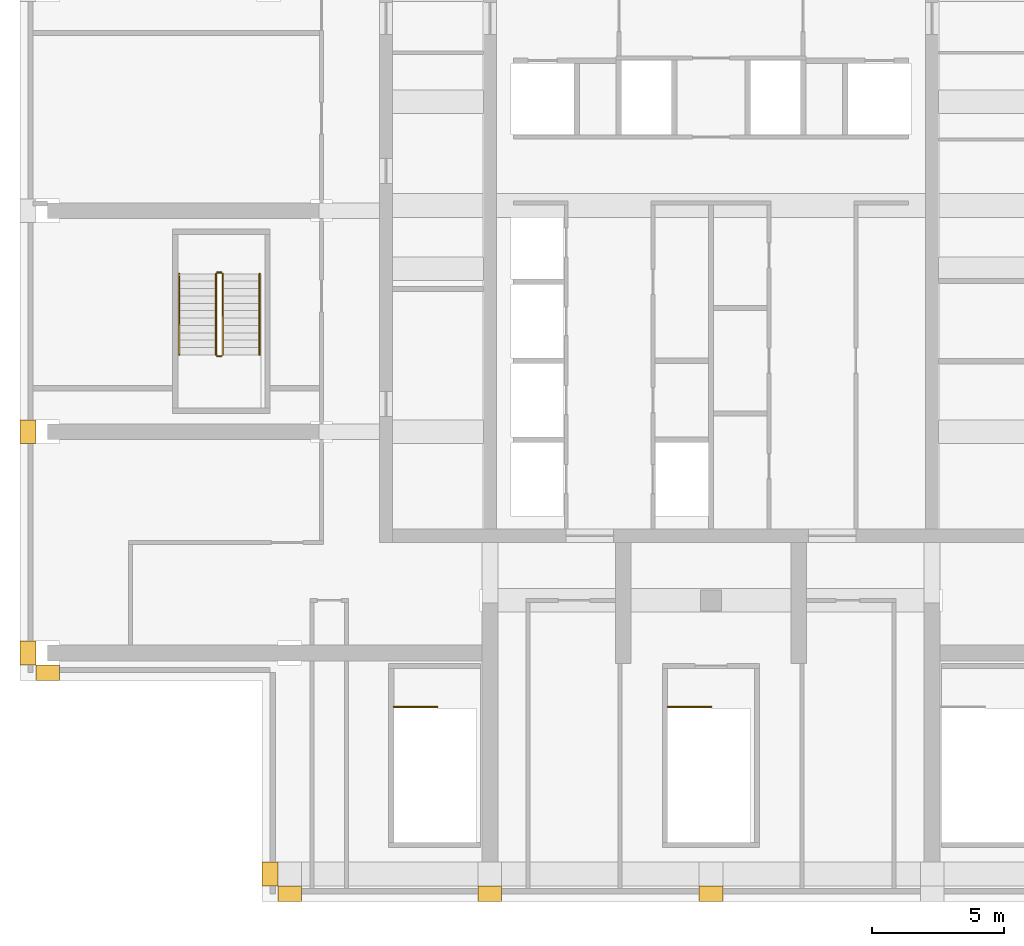
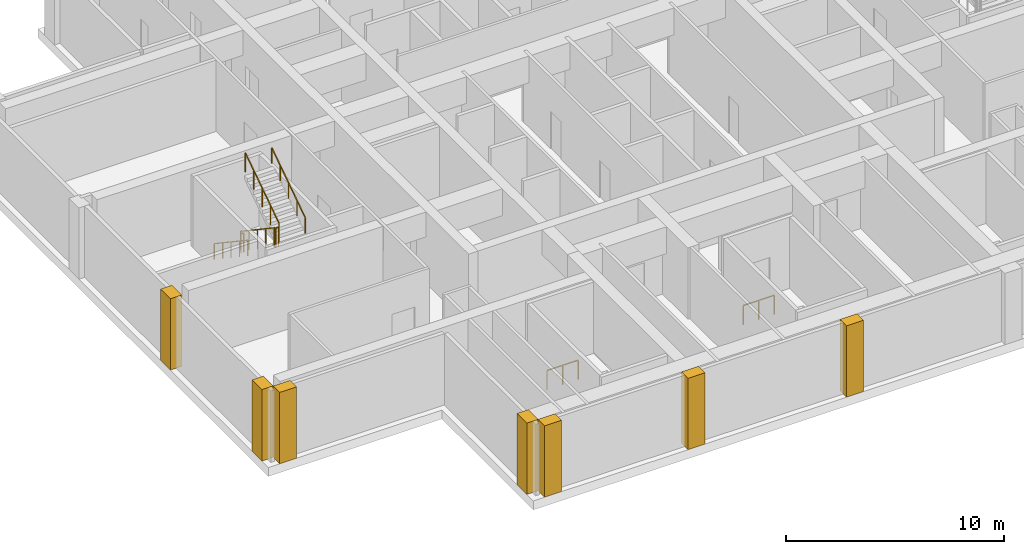
# One storey, part 7 of 11: 7 coverings, 7 railings.
"""IFC4 building model written with IfcOpenShell, lengths in metres."""

from ifc_helpers import new_model, si_unit, direction, frame, origin, origin_2d, place, context, subcontext, project, spatial, polyline, rectangle, outline, extrude, material, type_object, element, save


model = new_model("IFC4")

# Units and contexts
model_context = context("Model", 3, precision=1e-05, world=origin(), true_north=direction((0.0, 1.0)))
body_context = subcontext(model_context, "Body", "Model", "MODEL_VIEW")
ifc_project = project(units=[si_unit("LENGTHUNIT", "METRE"), si_unit("AREAUNIT", "SQUARE_METRE"), si_unit("VOLUMEUNIT", "CUBIC_METRE"), si_unit("PLANEANGLEUNIT", "RADIAN"), si_unit("MASSUNIT", "GRAM", prefix="KILO")], contexts=[model_context])

# Site, building, storey
site_placement = place(None, origin())
site = spatial("IfcSite", under=ifc_project, at=site_placement, CompositionType="ELEMENT")
building_placement = place(site_placement, origin())
building = spatial("IfcBuilding", under=site, at=building_placement, Name="Vermilion Ogive Tower", CompositionType="ELEMENT")
storey_placement = place(building_placement, frame((0.0, 0.0, 264.85009765625)))
storey = spatial("IfcBuildingStorey", under=building, at=storey_placement, Name="L70", CompositionType="ELEMENT", Elevation=264.85009765625)

# Railings
ifc_material_1 = material(Name="Steel S355 painted", Category="steel")
railing_type_1 = type_object("IfcRailingType", Name="Stair guard 1100", PredefinedType="GUARDRAIL", material=ifc_material_1)
railing_1_placement = place(storey_placement, frame((-12.050048828125, -14.64990234375, 0.0)))
element("IfcRailing", 1, at=railing_1_placement, inside=storey, type_object=railing_type_1, Name="L70 ST3 top well guard 1", PredefinedType="GUARDRAIL", context=body_context, shape_type="SweptSolid", body=[
    extrude(rectangle(XDim=0.048095703125, YDim=0.048095703125, at=origin_2d()), frame((0.0, 0.0, 1.076171875), z_axis=(1.0, 0.0, 0.0), x_axis=(0.0, 1.0, 0.0)), (0.0, 0.0, 1.0), 1.650146484375),
    extrude(rectangle(XDim=0.0419921875, YDim=0.0419921875, at=origin_2d()), origin(), (0.0, 0.0, 1.0), 1.052001953125),
    extrude(rectangle(XDim=0.0419921875, YDim=0.0419921875, at=origin_2d()), frame((0.8251953125, 0.0, 0.0)), (0.0, 0.0, 1.0), 1.052001953125),
    extrude(rectangle(XDim=0.0419921875, YDim=0.0419921875, at=origin_2d()), frame((1.650146484375, 0.0, 0.0)), (0.0, 0.0, 1.0), 1.052001953125),
])
railing_2_placement = place(storey_placement, frame((-1.64990234375, -14.64990234375, 0.0)))
element("IfcRailing", 2, at=railing_2_placement, inside=storey, type_object=railing_type_1, Name="L70 ST4 top well guard 1", PredefinedType="GUARDRAIL", context=body_context, shape_type="SweptSolid", body=[
    extrude(rectangle(XDim=0.048095703125, YDim=0.048095703125, at=origin_2d()), frame((0.0, 0.0, 1.076171875), z_axis=(1.0, 0.0, 0.0), x_axis=(0.0, 1.0, 0.0)), (0.0, 0.0, 1.0), 1.64990234375),
    extrude(rectangle(XDim=0.0419921875, YDim=0.0419921875, at=origin_2d()), origin(), (0.0, 0.0, 1.0), 1.052001953125),
    extrude(rectangle(XDim=0.0419921875, YDim=0.0419921875, at=origin_2d()), frame((0.824951171875, 0.0, 0.0)), (0.0, 0.0, 1.0), 1.052001953125),
    extrude(rectangle(XDim=0.0419921875, YDim=0.0419921875, at=origin_2d()), frame((1.64990234375, 0.0, 0.0)), (0.0, 0.0, 1.0), 1.052001953125),
])
railing_3_placement = place(storey_placement, frame((-18.800048828125, 1.800048828125, 0.1875)))
element("IfcRailing", 3, at=railing_3_placement, inside=storey, type_object=railing_type_1, Name="L70 ST9 stair guard 1", PredefinedType="GUARDRAIL", context=body_context, shape_type="SweptSolid", body=[
    extrude(rectangle(XDim=0.048095703125, YDim=0.048095703125, at=origin_2d()), frame((0.0, 0.0, 1.076171875), z_axis=(0.0, -0.830913701846, 0.55640131208), x_axis=(1.0, 0.0, 0.0)), (0.0, 0.0, 1.0), 3.706787109375),
    extrude(rectangle(XDim=0.048095703125, YDim=0.048095703125, at=origin_2d()), frame((0.0, -3.080078125, 3.138671875), z_axis=(0.707106781187, -0.707106781187, 0.0), x_axis=(0.707106781187, 0.707106781187, 0.0)), (0.0, 0.0, 1.0), 0.07080078125),
    extrude(rectangle(XDim=0.048095703125, YDim=0.048095703125, at=origin_2d()), frame((0.050048828125, -3.130126953125, 3.138671875), z_axis=(1.0, 0.0, 0.0), x_axis=(0.0, 1.0, 0.0)), (0.0, 0.0, 1.0), 0.14990234375),
    extrude(rectangle(XDim=0.0419921875, YDim=0.0419921875, at=origin_2d()), origin(), (0.0, 0.0, 1.0), 1.052001953125),
    extrude(rectangle(XDim=0.0419921875, YDim=0.0419921875, at=origin_2d()), frame((0.0, -0.77001953125, 0.515625)), (0.0, 0.0, 1.0), 1.052001953125),
    extrude(rectangle(XDim=0.0419921875, YDim=0.0419921875, at=origin_2d()), frame((0.0, -1.5400390625, 1.03125)), (0.0, 0.0, 1.0), 1.052001953125),
    extrude(rectangle(XDim=0.0419921875, YDim=0.0419921875, at=origin_2d()), frame((0.0, -2.31005859375, 1.546875)), (0.0, 0.0, 1.0), 1.052001953125),
    extrude(rectangle(XDim=0.0419921875, YDim=0.0419921875, at=origin_2d()), frame((0.0, -3.080078125, 2.0625)), (0.0, 0.0, 1.0), 1.052001953125),
    extrude(rectangle(XDim=0.0419921875, YDim=0.0419921875, at=origin_2d()), frame((0.050048828125, -3.130126953125, 2.0625)), (0.0, 0.0, 1.0), 1.052001953125),
    extrude(rectangle(XDim=0.0419921875, YDim=0.0419921875, at=origin_2d()), frame((0.199951171875, -3.130126953125, 2.0625)), (0.0, 0.0, 1.0), 1.052001953125),
])
railing_4_placement = place(storey_placement, frame((-18.550048828125, -1.280029296875, 2.4375)))
element("IfcRailing", 4, at=railing_4_placement, inside=storey, type_object=railing_type_1, Name="L70 ST9 stair guard 3", PredefinedType="GUARDRAIL", context=body_context, shape_type="SweptSolid", body=[
    extrude(rectangle(XDim=0.048095703125, YDim=0.048095703125, at=origin_2d()), frame((0.0, 0.0, 1.076171875), z_axis=(0.0, 0.830913701846, 0.55640131208), x_axis=(-1.0, 0.0, 0.0)), (0.0, 0.0, 1.0), 3.706787109375),
    extrude(rectangle(XDim=0.0419921875, YDim=0.0419921875, at=origin_2d()), origin(), (0.0, 0.0, 1.0), 1.052001953125),
    extrude(rectangle(XDim=0.0419921875, YDim=0.0419921875, at=origin_2d()), frame((0.0, 0.77001953125, 0.515625)), (0.0, 0.0, 1.0), 1.052001953125),
    extrude(rectangle(XDim=0.0419921875, YDim=0.0419921875, at=origin_2d()), frame((0.0, 1.5400390625, 1.03125)), (0.0, 0.0, 1.0), 1.052001953125),
    extrude(rectangle(XDim=0.0419921875, YDim=0.0419921875, at=origin_2d()), frame((0.0, 2.31005859375, 1.546875)), (0.0, 0.0, 1.0), 1.052001953125),
    extrude(rectangle(XDim=0.0419921875, YDim=0.0419921875, at=origin_2d()), frame((0.0, 3.080078125, 2.0625)), (0.0, 0.0, 1.0), 1.052001953125),
])
railing_5_placement = place(storey_placement, frame((-18.75, 1.85009765625, 0.0)))
element("IfcRailing", 5, at=railing_5_placement, inside=storey, type_object=railing_type_1, Name="L70 ST9 stair guard 4", PredefinedType="GUARDRAIL", context=body_context, shape_type="SweptSolid", body=[
    extrude(rectangle(XDim=0.048095703125, YDim=0.048095703125, at=origin_2d()), frame((0.0, 0.0, 1.076171875), z_axis=(1.0, 0.0, 0.0), x_axis=(0.0, 1.0, 0.0)), (0.0, 0.0, 1.0), 0.14990234375),
    extrude(rectangle(XDim=0.0419921875, YDim=0.0419921875, at=origin_2d()), origin(), (0.0, 0.0, 1.0), 1.052001953125),
    extrude(rectangle(XDim=0.0419921875, YDim=0.0419921875, at=origin_2d()), frame((0.14990234375, 0.0, 0.0)), (0.0, 0.0, 1.0), 1.052001953125),
])
ifc_material_2 = material(Name="Stainless steel", Category="steel")
railing_type_2 = type_object("IfcRailingType", Name="Stair handrail 900", PredefinedType="HANDRAIL", material=ifc_material_2)
railing_6_placement = place(storey_placement, frame((-20.199951171875, 1.800048828125, 0.1875)))
element("IfcRailing", 6, at=railing_6_placement, inside=storey, type_object=railing_type_2, Name="L70 ST9 stair handrail 1", PredefinedType="HANDRAIL", context=body_context, shape_type="SweptSolid", body=[
    extrude(rectangle(XDim=0.048095703125, YDim=0.048095703125, at=origin_2d()), frame((0.0, 0.0, 0.8759765625), z_axis=(0.0, -0.830913701846, 0.55640131208), x_axis=(1.0, 0.0, 0.0)), (0.0, 0.0, 1.0), 3.706787109375),
    extrude(rectangle(XDim=0.0419921875, YDim=0.0419921875, at=origin_2d()), origin(), (0.0, 0.0, 1.0), 0.851806640625),
    extrude(rectangle(XDim=0.0419921875, YDim=0.0419921875, at=origin_2d()), frame((0.0, -0.77001953125, 0.515625)), (0.0, 0.0, 1.0), 0.851806640625),
    extrude(rectangle(XDim=0.0419921875, YDim=0.0419921875, at=origin_2d()), frame((0.0, -1.5400390625, 1.03125)), (0.0, 0.0, 1.0), 0.851806640625),
    extrude(rectangle(XDim=0.0419921875, YDim=0.0419921875, at=origin_2d()), frame((0.0, -2.31005859375, 1.546875)), (0.0, 0.0, 1.0), 0.851806640625),
    extrude(rectangle(XDim=0.0419921875, YDim=0.0419921875, at=origin_2d()), frame((0.0, -3.080078125, 2.0625)), (0.0, 0.0, 1.0), 0.851806640625),
])
railing_7_placement = place(storey_placement, frame((-17.14990234375, -1.280029296875, 2.4375)))
element("IfcRailing", 7, at=railing_7_placement, inside=storey, type_object=railing_type_2, Name="L70 ST9 stair handrail 2", PredefinedType="HANDRAIL", context=body_context, shape_type="SweptSolid", body=[
    extrude(rectangle(XDim=0.048095703125, YDim=0.048095703125, at=origin_2d()), frame((0.0, 0.0, 0.8759765625), z_axis=(0.0, 0.830913701846, 0.55640131208), x_axis=(-1.0, 0.0, 0.0)), (0.0, 0.0, 1.0), 3.706787109375),
    extrude(rectangle(XDim=0.0419921875, YDim=0.0419921875, at=origin_2d()), origin(), (0.0, 0.0, 1.0), 0.851806640625),
    extrude(rectangle(XDim=0.0419921875, YDim=0.0419921875, at=origin_2d()), frame((0.0, 0.77001953125, 0.515625)), (0.0, 0.0, 1.0), 0.851806640625),
    extrude(rectangle(XDim=0.0419921875, YDim=0.0419921875, at=origin_2d()), frame((0.0, 1.5400390625, 1.03125)), (0.0, 0.0, 1.0), 0.851806640625),
    extrude(rectangle(XDim=0.0419921875, YDim=0.0419921875, at=origin_2d()), frame((0.0, 2.31005859375, 1.546875)), (0.0, 0.0, 1.0), 0.851806640625),
    extrude(rectangle(XDim=0.0419921875, YDim=0.0419921875, at=origin_2d()), frame((0.0, 3.080078125, 2.0625)), (0.0, 0.0, 1.0), 0.851806640625),
])

# Coverings
ifc_material_3 = material(Name="Stone cladding", Category="masonry")
covering_type = type_object("IfcCoveringType", Name="Stone pier", PredefinedType="CLADDING", material=ifc_material_3)
covering_1_placement = place(storey_placement, origin())
element("IfcCovering", 8, at=covering_1_placement, inside=storey, type_object=covering_type, Name="Stone pier P+0000-210", PredefinedType="CLADDING", context=body_context, shape_type="SweptSolid", body=[
    extrude(outline(polyline([(0.449951171875, -22.050048828125), (-0.449951171875, -22.050048828125), (-0.449951171875, -21.449951171875), (0.449951171875, -21.449951171875), (0.449951171875, -22.050048828125)])), origin(), (0.0, 0.0, 1.0), 4.0),
])
covering_2_placement = place(storey_placement, origin())
element("IfcCovering", 9, at=covering_2_placement, inside=storey, type_object=covering_type, Name="Stone pier P-0084-210", PredefinedType="CLADDING", context=body_context, shape_type="SweptSolid", body=[
    extrude(outline(polyline([(-7.949951171875, -21.449951171875), (-7.949951171875, -22.050048828125), (-8.85009765625, -22.050048828125), (-8.85009765625, -21.449951171875), (-8.85009765625, -21.449951171875), (-7.949951171875, -21.449951171875)])), origin(), (0.0, 0.0, 1.0), 4.0),
])
covering_3_placement = place(storey_placement, origin())
element("IfcCovering", 10, at=covering_3_placement, inside=storey, type_object=covering_type, Name="Stone pier P-0160-210S", PredefinedType="CLADDING", context=body_context, shape_type="SweptSolid", body=[
    extrude(outline(polyline([(-15.550048828125, -22.050048828125), (-16.449951171875, -22.050048828125), (-16.449951171875, -21.449951171875), (-15.550048828125, -21.449951171875), (-15.550048828125, -22.050048828125)])), origin(), (0.0, 0.0, 1.0), 4.0),
])
covering_4_placement = place(storey_placement, origin())
element("IfcCovering", 11, at=covering_4_placement, inside=storey, type_object=covering_type, Name="Stone pier P-0160-210X8", PredefinedType="CLADDING", context=body_context, shape_type="SweptSolid", body=[
    extrude(outline(polyline([(-17.050048828125, -20.550048828125), (-16.449951171875, -20.550048828125), (-16.449951171875, -21.449951171875), (-17.050048828125, -21.449951171875), (-17.050048828125, -20.550048828125)])), origin(), (0.0, 0.0, 1.0), 4.0),
])
covering_5_placement = place(storey_placement, origin())
element("IfcCovering", 12, at=covering_5_placement, inside=storey, type_object=covering_type, Name="Stone pier P-0252-042", PredefinedType="CLADDING", context=body_context, shape_type="SweptSolid", body=[
    extrude(outline(polyline([(-26.25, -4.64990234375), (-26.25, -3.75), (-25.64990234375, -3.75), (-25.64990234375, -4.64990234375), (-26.25, -4.64990234375)])), origin(), (0.0, 0.0, 1.0), 4.0),
])
covering_6_placement = place(storey_placement, origin())
element("IfcCovering", 13, at=covering_6_placement, inside=storey, type_object=covering_type, Name="Stone pier P-0252-126W", PredefinedType="CLADDING", context=body_context, shape_type="SweptSolid", body=[
    extrude(outline(polyline([(-26.25, -13.050048828125), (-26.25, -12.14990234375), (-25.64990234375, -12.14990234375), (-25.64990234375, -13.050048828125), (-26.25, -13.050048828125)])), origin(), (0.0, 0.0, 1.0), 4.0),
])
covering_7_placement = place(storey_placement, origin())
element("IfcCovering", 14, at=covering_7_placement, inside=storey, type_object=covering_type, Name="Stone pier P-0252-126X7", PredefinedType="CLADDING", context=body_context, shape_type="SweptSolid", body=[
    extrude(outline(polyline([(-25.64990234375, -13.64990234375), (-25.64990234375, -13.050048828125), (-24.75, -13.050048828125), (-24.75, -13.64990234375), (-25.64990234375, -13.64990234375)])), origin(), (0.0, 0.0, 1.0), 4.0),
])

save(model, "model.ifc")
